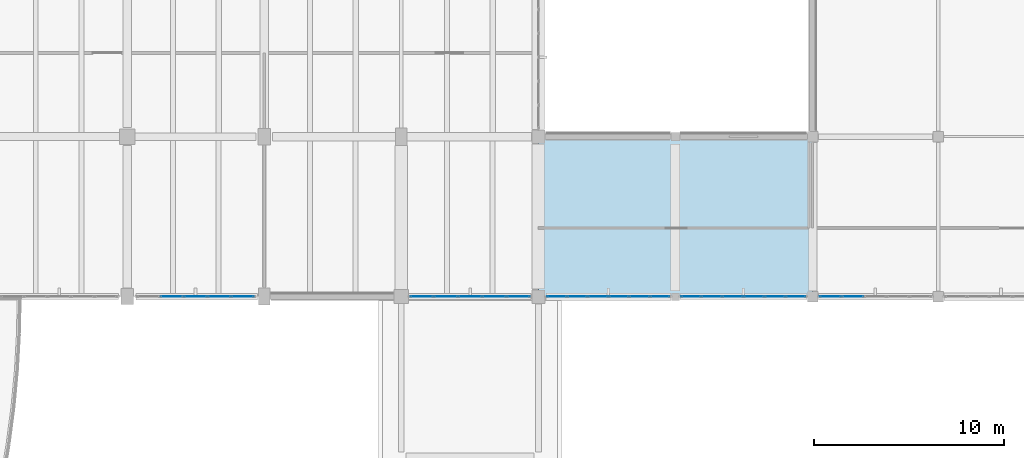
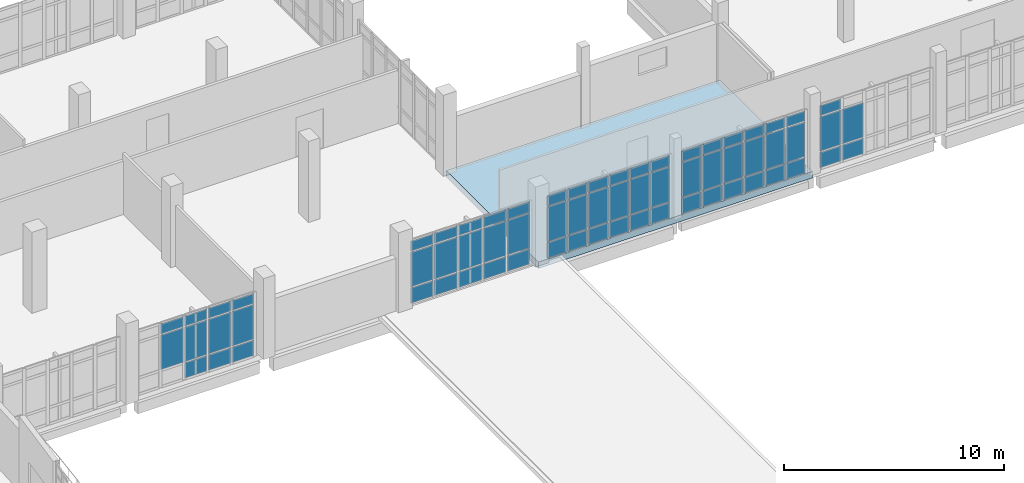
# One storey, part 105 of 134: 67 plates, 1 slab, 5 elements without a shape of their own.
"""IFC4 building model written with IfcOpenShell, lengths in metres."""

from ifc_helpers import new_model, si_unit, direction, frame, origin, origin_2d, place, context, subcontext, project, spatial, polyline, rectangle, outline, extrude, material, layer, layer_set, type_object, element, aggregate, save


model = new_model("IFC4")

# Units and contexts
model_context = context("Model", 3, precision=1e-05, world=origin(), true_north=direction((0.0, 1.0)))
body_context = subcontext(model_context, "Body", "Model", "MODEL_VIEW")
ifc_project = project(units=[si_unit("LENGTHUNIT", "METRE"), si_unit("AREAUNIT", "SQUARE_METRE"), si_unit("VOLUMEUNIT", "CUBIC_METRE"), si_unit("PLANEANGLEUNIT", "RADIAN"), si_unit("MASSUNIT", "GRAM", prefix="KILO")], contexts=[model_context])

# Site, building, storey
site_placement = place(None, origin())
site = spatial("IfcSite", under=ifc_project, at=site_placement, CompositionType="ELEMENT")
building_placement = place(site_placement, origin())
building = spatial("IfcBuilding", under=site, at=building_placement, Name="Kalluvel Institute of Natural Sciences", CompositionType="ELEMENT")
storey_placement = place(building_placement, frame((0.0, 0.0, 5.39990234375)))
storey = spatial("IfcBuildingStorey", under=building, at=storey_placement, Name="L01", CompositionType="ELEMENT", Elevation=5.39990234375)

# Curtain wall, plates
ifc_material_1 = material(Name="Aluminium AW-6063 T6", Category="aluminium")
curtain_wall_type_1 = type_object("IfcCurtainWallType", Name="CW-CLN-45", PredefinedType="USERDEFINED", material=ifc_material_1)
curtain_wall_1_placement = place(storey_placement, origin())
curtain_wall_1 = element("IfcCurtainWall", 1, at=curtain_wall_1_placement, inside=storey, type_object=curtain_wall_type_1, Name="L01 Gothic lancet curtain wall CWA-L01-X1152-Y1028", ObjectType="UNITISED LANCET FACADE", PredefinedType="USERDEFINED")
ifc_material_2 = material(Name="Solar-Control Low-E Laminated Glass", Category="glass")
ifc_layer_1 = layer(ifc_material_2, 0.028076171875)
ifc_layer_set_1 = layer_set([ifc_layer_1], Name="Solar-Control Low-E Laminated Glass")
plate_type_1 = type_object("IfcPlateType", Name="CWP-DGU-28", PredefinedType="CURTAIN_PANEL", material=ifc_layer_set_1)
plate_1_placement = place(storey_placement, frame((115.761962890625, 102.800048828125, 0.065185546875), z_axis=(0.0, 0.0, 1.0), x_axis=(1.0, 0.0, 0.0)))
plate_1 = element("IfcPlate", 2, at=plate_1_placement, type_object=plate_type_1, Name="CW-08 panel 1.1", PredefinedType="CURTAIN_PANEL", context=body_context, shape_type="SweptSolid", body=[
    extrude(rectangle(XDim=0.994140625, YDim=0.028076171875, at=origin_2d()), origin(), (0.0, 0.0, 1.0), 0.8525390625),
])
plate_2_placement = place(storey_placement, frame((115.761962890625, 102.800048828125, 0.982666015625), z_axis=(0.0, 0.0, 1.0), x_axis=(1.0, 0.0, 0.0)))
plate_2 = element("IfcPlate", 3, at=plate_2_placement, type_object=plate_type_1, Name="CW-08 panel 1.2", PredefinedType="CURTAIN_PANEL", context=body_context, shape_type="SweptSolid", body=[
    extrude(rectangle(XDim=0.994140625, YDim=0.028076171875, at=origin_2d()), origin(), (0.0, 0.0, 1.0), 1.9150390625),
])
plate_3_placement = place(storey_placement, frame((115.761962890625, 102.800048828125, 2.96240234375), z_axis=(0.0, 0.0, 1.0), x_axis=(1.0, 0.0, 0.0)))
plate_3 = element("IfcPlate", 4, at=plate_3_placement, type_object=plate_type_1, Name="CW-08 panel 1.3", PredefinedType="CURTAIN_PANEL", context=body_context, shape_type="SweptSolid", body=[
    extrude(rectangle(XDim=0.994140625, YDim=0.028076171875, at=origin_2d()), origin(), (0.0, 0.0, 1.0), 0.552490234375),
])
plate_4_placement = place(storey_placement, frame((116.83740234375, 102.800048828125, 0.065185546875), z_axis=(0.0, 0.0, 1.0), x_axis=(1.0, 0.0, 0.0)))
plate_4 = element("IfcPlate", 5, at=plate_4_placement, type_object=plate_type_1, Name="CW-08 panel 2.1", PredefinedType="CURTAIN_PANEL", context=body_context, shape_type="SweptSolid", body=[
    extrude(rectangle(XDim=1.026611328125, YDim=0.028076171875, at=origin_2d()), origin(), (0.0, 0.0, 1.0), 0.8525390625),
])
plate_5_placement = place(storey_placement, frame((116.83740234375, 102.800048828125, 0.982666015625), z_axis=(0.0, 0.0, 1.0), x_axis=(1.0, 0.0, 0.0)))
plate_5 = element("IfcPlate", 6, at=plate_5_placement, type_object=plate_type_1, Name="CW-08 panel 2.2", PredefinedType="CURTAIN_PANEL", context=body_context, shape_type="SweptSolid", body=[
    extrude(rectangle(XDim=1.026611328125, YDim=0.028076171875, at=origin_2d()), origin(), (0.0, 0.0, 1.0), 1.9150390625),
])
plate_6_placement = place(storey_placement, frame((116.83740234375, 102.800048828125, 2.96240234375), z_axis=(0.0, 0.0, 1.0), x_axis=(1.0, 0.0, 0.0)))
plate_6 = element("IfcPlate", 7, at=plate_6_placement, type_object=plate_type_1, Name="CW-08 panel 2.3", PredefinedType="CURTAIN_PANEL", context=body_context, shape_type="SweptSolid", body=[
    extrude(rectangle(XDim=1.026611328125, YDim=0.028076171875, at=origin_2d()), origin(), (0.0, 0.0, 1.0), 0.552490234375),
])
plate_7_placement = place(storey_placement, frame((117.92919921875, 102.800048828125, 0.065185546875), z_axis=(0.0, 0.0, 1.0), x_axis=(1.0, 0.0, 0.0)))
plate_7 = element("IfcPlate", 8, at=plate_7_placement, type_object=plate_type_1, Name="CW-08 panel 3.1", PredefinedType="CURTAIN_PANEL", context=body_context, shape_type="SweptSolid", body=[
    extrude(rectangle(XDim=1.026611328125, YDim=0.028076171875, at=origin_2d()), origin(), (0.0, 0.0, 1.0), 0.8525390625),
])
plate_8_placement = place(storey_placement, frame((117.92919921875, 102.800048828125, 0.982666015625), z_axis=(0.0, 0.0, 1.0), x_axis=(1.0, 0.0, 0.0)))
plate_8 = element("IfcPlate", 9, at=plate_8_placement, type_object=plate_type_1, Name="CW-08 panel 3.2", PredefinedType="CURTAIN_PANEL", context=body_context, shape_type="SweptSolid", body=[
    extrude(rectangle(XDim=1.026611328125, YDim=0.028076171875, at=origin_2d()), origin(), (0.0, 0.0, 1.0), 1.9150390625),
])
plate_9_placement = place(storey_placement, frame((117.92919921875, 102.800048828125, 2.96240234375), z_axis=(0.0, 0.0, 1.0), x_axis=(1.0, 0.0, 0.0)))
plate_9 = element("IfcPlate", 10, at=plate_9_placement, type_object=plate_type_1, Name="CW-08 panel 3.3", PredefinedType="CURTAIN_PANEL", context=body_context, shape_type="SweptSolid", body=[
    extrude(rectangle(XDim=1.026611328125, YDim=0.028076171875, at=origin_2d()), origin(), (0.0, 0.0, 1.0), 0.552490234375),
])
plate_10_placement = place(storey_placement, frame((119.020751953125, 102.800048828125, 0.065185546875), z_axis=(0.0, 0.0, 1.0), x_axis=(1.0, 0.0, 0.0)))
plate_10 = element("IfcPlate", 11, at=plate_10_placement, type_object=plate_type_1, Name="CW-08 panel 4.1", PredefinedType="CURTAIN_PANEL", context=body_context, shape_type="SweptSolid", body=[
    extrude(rectangle(XDim=1.026611328125, YDim=0.028076171875, at=origin_2d()), origin(), (0.0, 0.0, 1.0), 0.8525390625),
])
plate_11_placement = place(storey_placement, frame((119.020751953125, 102.800048828125, 0.982666015625), z_axis=(0.0, 0.0, 1.0), x_axis=(1.0, 0.0, 0.0)))
plate_11 = element("IfcPlate", 12, at=plate_11_placement, type_object=plate_type_1, Name="CW-08 panel 4.2", PredefinedType="CURTAIN_PANEL", context=body_context, shape_type="SweptSolid", body=[
    extrude(rectangle(XDim=1.026611328125, YDim=0.028076171875, at=origin_2d()), origin(), (0.0, 0.0, 1.0), 1.9150390625),
])
plate_12_placement = place(storey_placement, frame((119.020751953125, 102.800048828125, 2.96240234375), z_axis=(0.0, 0.0, 1.0), x_axis=(1.0, 0.0, 0.0)))
plate_12 = element("IfcPlate", 13, at=plate_12_placement, type_object=plate_type_1, Name="CW-08 panel 4.3", PredefinedType="CURTAIN_PANEL", context=body_context, shape_type="SweptSolid", body=[
    extrude(rectangle(XDim=1.026611328125, YDim=0.028076171875, at=origin_2d()), origin(), (0.0, 0.0, 1.0), 0.552490234375),
])
plate_13_placement = place(storey_placement, frame((120.112548828125, 102.800048828125, 0.065185546875), z_axis=(0.0, 0.0, 1.0), x_axis=(1.0, 0.0, 0.0)))
plate_13 = element("IfcPlate", 14, at=plate_13_placement, type_object=plate_type_1, Name="CW-08 panel 5.1", PredefinedType="CURTAIN_PANEL", context=body_context, shape_type="SweptSolid", body=[
    extrude(rectangle(XDim=1.026611328125, YDim=0.028076171875, at=origin_2d()), origin(), (0.0, 0.0, 1.0), 0.8525390625),
])
plate_14_placement = place(storey_placement, frame((120.112548828125, 102.800048828125, 0.982666015625), z_axis=(0.0, 0.0, 1.0), x_axis=(1.0, 0.0, 0.0)))
plate_14 = element("IfcPlate", 15, at=plate_14_placement, type_object=plate_type_1, Name="CW-08 panel 5.2", PredefinedType="CURTAIN_PANEL", context=body_context, shape_type="SweptSolid", body=[
    extrude(rectangle(XDim=1.026611328125, YDim=0.028076171875, at=origin_2d()), origin(), (0.0, 0.0, 1.0), 1.9150390625),
])
plate_15_placement = place(storey_placement, frame((120.112548828125, 102.800048828125, 2.96240234375), z_axis=(0.0, 0.0, 1.0), x_axis=(1.0, 0.0, 0.0)))
plate_15 = element("IfcPlate", 16, at=plate_15_placement, type_object=plate_type_1, Name="CW-08 panel 5.3", PredefinedType="CURTAIN_PANEL", context=body_context, shape_type="SweptSolid", body=[
    extrude(rectangle(XDim=1.026611328125, YDim=0.028076171875, at=origin_2d()), origin(), (0.0, 0.0, 1.0), 0.552490234375),
])
plate_16_placement = place(storey_placement, frame((121.18798828125, 102.800048828125, 0.065185546875), z_axis=(0.0, 0.0, 1.0), x_axis=(1.0, 0.0, 0.0)))
plate_16 = element("IfcPlate", 17, at=plate_16_placement, type_object=plate_type_1, Name="CW-08 panel 6.1", PredefinedType="CURTAIN_PANEL", context=body_context, shape_type="SweptSolid", body=[
    extrude(rectangle(XDim=0.994140625, YDim=0.028076171875, at=origin_2d()), origin(), (0.0, 0.0, 1.0), 0.8525390625),
])
plate_17_placement = place(storey_placement, frame((121.18798828125, 102.800048828125, 0.982666015625), z_axis=(0.0, 0.0, 1.0), x_axis=(1.0, 0.0, 0.0)))
plate_17 = element("IfcPlate", 18, at=plate_17_placement, type_object=plate_type_1, Name="CW-08 panel 6.2", PredefinedType="CURTAIN_PANEL", context=body_context, shape_type="SweptSolid", body=[
    extrude(rectangle(XDim=0.994140625, YDim=0.028076171875, at=origin_2d()), origin(), (0.0, 0.0, 1.0), 1.9150390625),
])
plate_18_placement = place(storey_placement, frame((121.18798828125, 102.800048828125, 2.96240234375), z_axis=(0.0, 0.0, 1.0), x_axis=(1.0, 0.0, 0.0)))
plate_18 = element("IfcPlate", 19, at=plate_18_placement, type_object=plate_type_1, Name="CW-08 panel 6.3", PredefinedType="CURTAIN_PANEL", context=body_context, shape_type="SweptSolid", body=[
    extrude(rectangle(XDim=0.994140625, YDim=0.028076171875, at=origin_2d()), origin(), (0.0, 0.0, 1.0), 0.552490234375),
])
aggregate(curtain_wall_1, [plate_1, plate_2, plate_3, plate_4, plate_5, plate_6, plate_7, plate_8, plate_9, plate_10, plate_11, plate_12, plate_13, plate_14, plate_15, plate_16, plate_17, plate_18])

curtain_wall_2_placement = place(storey_placement, origin())
curtain_wall_2 = element("IfcCurtainWall", 20, at=curtain_wall_2_placement, inside=storey, type_object=curtain_wall_type_1, Name="L01 Gothic lancet curtain wall CWA-L01-X1222-Y1028", ObjectType="UNITISED LANCET FACADE", PredefinedType="USERDEFINED")
plate_19_placement = place(storey_placement, frame((122.818359375, 102.800048828125, 0.065185546875), z_axis=(0.0, 0.0, 1.0), x_axis=(1.0, 0.0, 0.0)))
plate_19 = element("IfcPlate", 21, at=plate_19_placement, type_object=plate_type_1, Name="CW-08 panel 1.1", PredefinedType="CURTAIN_PANEL", context=body_context, shape_type="SweptSolid", body=[
    extrude(rectangle(XDim=1.006591796875, YDim=0.028076171875, at=origin_2d()), origin(), (0.0, 0.0, 1.0), 0.8525390625),
])
plate_20_placement = place(storey_placement, frame((122.818359375, 102.800048828125, 0.982666015625), z_axis=(0.0, 0.0, 1.0), x_axis=(1.0, 0.0, 0.0)))
plate_20 = element("IfcPlate", 22, at=plate_20_placement, type_object=plate_type_1, Name="CW-08 panel 1.2", PredefinedType="CURTAIN_PANEL", context=body_context, shape_type="SweptSolid", body=[
    extrude(rectangle(XDim=1.006591796875, YDim=0.028076171875, at=origin_2d()), origin(), (0.0, 0.0, 1.0), 1.9150390625),
])
plate_21_placement = place(storey_placement, frame((122.818359375, 102.800048828125, 2.96240234375), z_axis=(0.0, 0.0, 1.0), x_axis=(1.0, 0.0, 0.0)))
plate_21 = element("IfcPlate", 23, at=plate_21_placement, type_object=plate_type_1, Name="CW-08 panel 1.3", PredefinedType="CURTAIN_PANEL", context=body_context, shape_type="SweptSolid", body=[
    extrude(rectangle(XDim=1.006591796875, YDim=0.028076171875, at=origin_2d()), origin(), (0.0, 0.0, 1.0), 0.552490234375),
])
plate_22_placement = place(storey_placement, frame((123.90625, 102.800048828125, 0.065185546875), z_axis=(0.0, 0.0, 1.0), x_axis=(1.0, 0.0, 0.0)))
plate_22 = element("IfcPlate", 24, at=plate_22_placement, type_object=plate_type_1, Name="CW-08 panel 2.1", PredefinedType="CURTAIN_PANEL", context=body_context, shape_type="SweptSolid", body=[
    extrude(rectangle(XDim=1.0390625, YDim=0.028076171875, at=origin_2d()), origin(), (0.0, 0.0, 1.0), 0.8525390625),
])
plate_23_placement = place(storey_placement, frame((123.90625, 102.800048828125, 0.982666015625), z_axis=(0.0, 0.0, 1.0), x_axis=(1.0, 0.0, 0.0)))
plate_23 = element("IfcPlate", 25, at=plate_23_placement, type_object=plate_type_1, Name="CW-08 panel 2.2", PredefinedType="CURTAIN_PANEL", context=body_context, shape_type="SweptSolid", body=[
    extrude(rectangle(XDim=1.0390625, YDim=0.028076171875, at=origin_2d()), origin(), (0.0, 0.0, 1.0), 1.9150390625),
])
plate_24_placement = place(storey_placement, frame((123.90625, 102.800048828125, 2.96240234375), z_axis=(0.0, 0.0, 1.0), x_axis=(1.0, 0.0, 0.0)))
plate_24 = element("IfcPlate", 26, at=plate_24_placement, type_object=plate_type_1, Name="CW-08 panel 2.3", PredefinedType="CURTAIN_PANEL", context=body_context, shape_type="SweptSolid", body=[
    extrude(rectangle(XDim=1.0390625, YDim=0.028076171875, at=origin_2d()), origin(), (0.0, 0.0, 1.0), 0.552490234375),
])
plate_25_placement = place(storey_placement, frame((125.010498046875, 102.800048828125, 0.065185546875), z_axis=(0.0, 0.0, 1.0), x_axis=(1.0, 0.0, 0.0)))
plate_25 = element("IfcPlate", 27, at=plate_25_placement, type_object=plate_type_1, Name="CW-08 panel 3.1", PredefinedType="CURTAIN_PANEL", context=body_context, shape_type="SweptSolid", body=[
    extrude(rectangle(XDim=1.0390625, YDim=0.028076171875, at=origin_2d()), origin(), (0.0, 0.0, 1.0), 0.8525390625),
])
plate_26_placement = place(storey_placement, frame((125.010498046875, 102.800048828125, 0.982666015625), z_axis=(0.0, 0.0, 1.0), x_axis=(1.0, 0.0, 0.0)))
plate_26 = element("IfcPlate", 28, at=plate_26_placement, type_object=plate_type_1, Name="CW-08 panel 3.2", PredefinedType="CURTAIN_PANEL", context=body_context, shape_type="SweptSolid", body=[
    extrude(rectangle(XDim=1.0390625, YDim=0.028076171875, at=origin_2d()), origin(), (0.0, 0.0, 1.0), 1.9150390625),
])
plate_27_placement = place(storey_placement, frame((125.010498046875, 102.800048828125, 2.96240234375), z_axis=(0.0, 0.0, 1.0), x_axis=(1.0, 0.0, 0.0)))
plate_27 = element("IfcPlate", 29, at=plate_27_placement, type_object=plate_type_1, Name="CW-08 panel 3.3", PredefinedType="CURTAIN_PANEL", context=body_context, shape_type="SweptSolid", body=[
    extrude(rectangle(XDim=1.0390625, YDim=0.028076171875, at=origin_2d()), origin(), (0.0, 0.0, 1.0), 0.552490234375),
])
plate_28_placement = place(storey_placement, frame((126.114501953125, 102.800048828125, 0.065185546875), z_axis=(0.0, 0.0, 1.0), x_axis=(1.0, 0.0, 0.0)))
plate_28 = element("IfcPlate", 30, at=plate_28_placement, type_object=plate_type_1, Name="CW-08 panel 4.1", PredefinedType="CURTAIN_PANEL", context=body_context, shape_type="SweptSolid", body=[
    extrude(rectangle(XDim=1.0390625, YDim=0.028076171875, at=origin_2d()), origin(), (0.0, 0.0, 1.0), 0.8525390625),
])
plate_29_placement = place(storey_placement, frame((126.114501953125, 102.800048828125, 0.982666015625), z_axis=(0.0, 0.0, 1.0), x_axis=(1.0, 0.0, 0.0)))
plate_29 = element("IfcPlate", 31, at=plate_29_placement, type_object=plate_type_1, Name="CW-08 panel 4.2", PredefinedType="CURTAIN_PANEL", context=body_context, shape_type="SweptSolid", body=[
    extrude(rectangle(XDim=1.0390625, YDim=0.028076171875, at=origin_2d()), origin(), (0.0, 0.0, 1.0), 1.9150390625),
])
plate_30_placement = place(storey_placement, frame((126.114501953125, 102.800048828125, 2.96240234375), z_axis=(0.0, 0.0, 1.0), x_axis=(1.0, 0.0, 0.0)))
plate_30 = element("IfcPlate", 32, at=plate_30_placement, type_object=plate_type_1, Name="CW-08 panel 4.3", PredefinedType="CURTAIN_PANEL", context=body_context, shape_type="SweptSolid", body=[
    extrude(rectangle(XDim=1.0390625, YDim=0.028076171875, at=origin_2d()), origin(), (0.0, 0.0, 1.0), 0.552490234375),
])
plate_31_placement = place(storey_placement, frame((127.21875, 102.800048828125, 0.065185546875), z_axis=(0.0, 0.0, 1.0), x_axis=(1.0, 0.0, 0.0)))
plate_31 = element("IfcPlate", 33, at=plate_31_placement, type_object=plate_type_1, Name="CW-08 panel 5.1", PredefinedType="CURTAIN_PANEL", context=body_context, shape_type="SweptSolid", body=[
    extrude(rectangle(XDim=1.0390625, YDim=0.028076171875, at=origin_2d()), origin(), (0.0, 0.0, 1.0), 0.8525390625),
])
plate_32_placement = place(storey_placement, frame((127.21875, 102.800048828125, 0.982666015625), z_axis=(0.0, 0.0, 1.0), x_axis=(1.0, 0.0, 0.0)))
plate_32 = element("IfcPlate", 34, at=plate_32_placement, type_object=plate_type_1, Name="CW-08 panel 5.2", PredefinedType="CURTAIN_PANEL", context=body_context, shape_type="SweptSolid", body=[
    extrude(rectangle(XDim=1.0390625, YDim=0.028076171875, at=origin_2d()), origin(), (0.0, 0.0, 1.0), 1.9150390625),
])
plate_33_placement = place(storey_placement, frame((127.21875, 102.800048828125, 2.96240234375), z_axis=(0.0, 0.0, 1.0), x_axis=(1.0, 0.0, 0.0)))
plate_33 = element("IfcPlate", 35, at=plate_33_placement, type_object=plate_type_1, Name="CW-08 panel 5.3", PredefinedType="CURTAIN_PANEL", context=body_context, shape_type="SweptSolid", body=[
    extrude(rectangle(XDim=1.0390625, YDim=0.028076171875, at=origin_2d()), origin(), (0.0, 0.0, 1.0), 0.552490234375),
])
plate_34_placement = place(storey_placement, frame((128.306640625, 102.800048828125, 0.065185546875), z_axis=(0.0, 0.0, 1.0), x_axis=(1.0, 0.0, 0.0)))
plate_34 = element("IfcPlate", 36, at=plate_34_placement, type_object=plate_type_1, Name="CW-08 panel 6.1", PredefinedType="CURTAIN_PANEL", context=body_context, shape_type="SweptSolid", body=[
    extrude(rectangle(XDim=1.006591796875, YDim=0.028076171875, at=origin_2d()), origin(), (0.0, 0.0, 1.0), 0.8525390625),
])
plate_35_placement = place(storey_placement, frame((128.306640625, 102.800048828125, 0.982666015625), z_axis=(0.0, 0.0, 1.0), x_axis=(1.0, 0.0, 0.0)))
plate_35 = element("IfcPlate", 37, at=plate_35_placement, type_object=plate_type_1, Name="CW-08 panel 6.2", PredefinedType="CURTAIN_PANEL", context=body_context, shape_type="SweptSolid", body=[
    extrude(rectangle(XDim=1.006591796875, YDim=0.028076171875, at=origin_2d()), origin(), (0.0, 0.0, 1.0), 1.9150390625),
])
plate_36_placement = place(storey_placement, frame((128.306640625, 102.800048828125, 2.96240234375), z_axis=(0.0, 0.0, 1.0), x_axis=(1.0, 0.0, 0.0)))
plate_36 = element("IfcPlate", 38, at=plate_36_placement, type_object=plate_type_1, Name="CW-08 panel 6.3", PredefinedType="CURTAIN_PANEL", context=body_context, shape_type="SweptSolid", body=[
    extrude(rectangle(XDim=1.006591796875, YDim=0.028076171875, at=origin_2d()), origin(), (0.0, 0.0, 1.0), 0.552490234375),
])
aggregate(curtain_wall_2, [plate_19, plate_20, plate_21, plate_22, plate_23, plate_24, plate_25, plate_26, plate_27, plate_28, plate_29, plate_30, plate_31, plate_32, plate_33, plate_34, plate_35, plate_36])

curtain_wall_3_placement = place(storey_placement, origin())
curtain_wall_3 = element("IfcCurtainWall", 39, at=curtain_wall_3_placement, inside=storey, type_object=curtain_wall_type_1, Name="L01 Gothic lancet curtain wall CWA-L01-X1295-Y1028", ObjectType="UNITISED LANCET FACADE", PredefinedType="USERDEFINED")
plate_37_placement = place(storey_placement, frame((130.13623046875, 102.800048828125, 0.065185546875), z_axis=(0.0, 0.0, 1.0), x_axis=(1.0, 0.0, 0.0)))
plate_37 = element("IfcPlate", 40, at=plate_37_placement, type_object=plate_type_1, Name="CW-08 panel 1.1", PredefinedType="CURTAIN_PANEL", context=body_context, shape_type="SweptSolid", body=[
    extrude(rectangle(XDim=1.092529296875, YDim=0.028076171875, at=origin_2d()), origin(), (0.0, 0.0, 1.0), 0.8525390625),
])
plate_38_placement = place(storey_placement, frame((130.13623046875, 102.800048828125, 0.982666015625), z_axis=(0.0, 0.0, 1.0), x_axis=(1.0, 0.0, 0.0)))
plate_38 = element("IfcPlate", 41, at=plate_38_placement, type_object=plate_type_1, Name="CW-08 panel 1.2", PredefinedType="CURTAIN_PANEL", context=body_context, shape_type="SweptSolid", body=[
    extrude(rectangle(XDim=1.092529296875, YDim=0.028076171875, at=origin_2d()), origin(), (0.0, 0.0, 1.0), 1.9150390625),
])
plate_39_placement = place(storey_placement, frame((130.13623046875, 102.800048828125, 2.96240234375), z_axis=(0.0, 0.0, 1.0), x_axis=(1.0, 0.0, 0.0)))
plate_39 = element("IfcPlate", 42, at=plate_39_placement, type_object=plate_type_1, Name="CW-08 panel 1.3", PredefinedType="CURTAIN_PANEL", context=body_context, shape_type="SweptSolid", body=[
    extrude(rectangle(XDim=1.092529296875, YDim=0.028076171875, at=origin_2d()), origin(), (0.0, 0.0, 1.0), 0.552490234375),
])
plate_40_placement = place(storey_placement, frame((131.31005859375, 102.800048828125, 0.065185546875), z_axis=(0.0, 0.0, 1.0), x_axis=(1.0, 0.0, 0.0)))
plate_40 = element("IfcPlate", 43, at=plate_40_placement, type_object=plate_type_1, Name="CW-08 panel 2.1", PredefinedType="CURTAIN_PANEL", context=body_context, shape_type="SweptSolid", body=[
    extrude(rectangle(XDim=1.125, YDim=0.028076171875, at=origin_2d()), origin(), (0.0, 0.0, 1.0), 0.8525390625),
])
plate_41_placement = place(storey_placement, frame((131.31005859375, 102.800048828125, 0.982666015625), z_axis=(0.0, 0.0, 1.0), x_axis=(1.0, 0.0, 0.0)))
plate_41 = element("IfcPlate", 44, at=plate_41_placement, type_object=plate_type_1, Name="CW-08 panel 2.2", PredefinedType="CURTAIN_PANEL", context=body_context, shape_type="SweptSolid", body=[
    extrude(rectangle(XDim=1.125, YDim=0.028076171875, at=origin_2d()), origin(), (0.0, 0.0, 1.0), 1.9150390625),
])
aggregate(curtain_wall_3, [plate_37, plate_38, plate_39, plate_40, plate_41])

curtain_wall_type_2 = type_object("IfcCurtainWallType", Name="CW-WET-45", PredefinedType="USERDEFINED", material=ifc_material_1)
curtain_wall_4_placement = place(storey_placement, origin())
curtain_wall_4 = element("IfcCurtainWall", 45, at=curtain_wall_4_placement, inside=storey, type_object=curtain_wall_type_2, Name="L01 Gothic lancet curtain wall CWA-L01-X937-Y1028", ObjectType="UNITISED LANCET FACADE", PredefinedType="USERDEFINED")
ifc_layer_2 = layer(ifc_material_2, 0.031982421875)
ifc_layer_set_2 = layer_set([ifc_layer_2], Name="Solar-Control Low-E Laminated Glass")
plate_type_2 = type_object("IfcPlateType", Name="CWP-DGU-32", PredefinedType="CURTAIN_PANEL", material=ifc_layer_set_2)
plate_42_placement = place(storey_placement, frame((95.54248046875, 102.800048828125, 0.982666015625), z_axis=(0.0, 0.0, 1.0), x_axis=(1.0, 0.0, 0.0)))
plate_42 = element("IfcPlate", 46, at=plate_42_placement, type_object=plate_type_2, Name="CW-01 panel 2.2", PredefinedType="CURTAIN_PANEL", context=body_context, shape_type="SweptSolid", body=[
    extrude(rectangle(XDim=1.179931640625, YDim=0.031982421875, at=origin_2d()), origin(), (0.0, 0.0, 1.0), 1.9150390625),
])
plate_43_placement = place(storey_placement, frame((95.54248046875, 102.800048828125, 2.96240234375), z_axis=(0.0, 0.0, 1.0), x_axis=(1.0, 0.0, 0.0)))
plate_43 = element("IfcPlate", 47, at=plate_43_placement, type_object=plate_type_2, Name="CW-01 panel 2.3", PredefinedType="CURTAIN_PANEL", context=body_context, shape_type="SweptSolid", body=[
    extrude(rectangle(XDim=1.179931640625, YDim=0.031982421875, at=origin_2d()), origin(), (0.0, 0.0, 1.0), 0.552490234375),
])
plate_44_placement = place(storey_placement, frame((96.78759765625, 102.800048828125, 0.065185546875), z_axis=(0.0, 0.0, 1.0), x_axis=(1.0, 0.0, 0.0)))
plate_44 = element("IfcPlate", 48, at=plate_44_placement, type_object=plate_type_2, Name="CW-01 panel 3.1", PredefinedType="CURTAIN_PANEL", context=body_context, shape_type="SweptSolid", body=[
    extrude(rectangle(XDim=1.179931640625, YDim=0.031982421875, at=origin_2d()), origin(), (0.0, 0.0, 1.0), 0.8525390625),
])
plate_45_placement = place(storey_placement, frame((96.78759765625, 102.800048828125, 0.982666015625), z_axis=(0.0, 0.0, 1.0), x_axis=(1.0, 0.0, 0.0)))
plate_45 = element("IfcPlate", 49, at=plate_45_placement, type_object=plate_type_2, Name="CW-01 panel 3.2", PredefinedType="CURTAIN_PANEL", context=body_context, shape_type="SweptSolid", body=[
    extrude(rectangle(XDim=1.179931640625, YDim=0.031982421875, at=origin_2d()), origin(), (0.0, 0.0, 1.0), 1.9150390625),
])
plate_46_placement = place(storey_placement, frame((96.78759765625, 102.800048828125, 2.96240234375), z_axis=(0.0, 0.0, 1.0), x_axis=(1.0, 0.0, 0.0)))
plate_46 = element("IfcPlate", 50, at=plate_46_placement, type_object=plate_type_2, Name="CW-01 panel 3.3", PredefinedType="CURTAIN_PANEL", context=body_context, shape_type="SweptSolid", body=[
    extrude(rectangle(XDim=1.179931640625, YDim=0.031982421875, at=origin_2d()), origin(), (0.0, 0.0, 1.0), 0.552490234375),
])
plate_47_placement = place(storey_placement, frame((98.032470703125, 102.800048828125, 0.065185546875), z_axis=(0.0, 0.0, 1.0), x_axis=(1.0, 0.0, 0.0)))
plate_47 = element("IfcPlate", 51, at=plate_47_placement, type_object=plate_type_2, Name="CW-01 panel 4.1", PredefinedType="CURTAIN_PANEL", context=body_context, shape_type="SweptSolid", body=[
    extrude(rectangle(XDim=1.179931640625, YDim=0.031982421875, at=origin_2d()), origin(), (0.0, 0.0, 1.0), 0.8525390625),
])
plate_48_placement = place(storey_placement, frame((98.032470703125, 102.800048828125, 0.982666015625), z_axis=(0.0, 0.0, 1.0), x_axis=(1.0, 0.0, 0.0)))
plate_48 = element("IfcPlate", 52, at=plate_48_placement, type_object=plate_type_2, Name="CW-01 panel 4.2", PredefinedType="CURTAIN_PANEL", context=body_context, shape_type="SweptSolid", body=[
    extrude(rectangle(XDim=1.179931640625, YDim=0.031982421875, at=origin_2d()), origin(), (0.0, 0.0, 1.0), 1.9150390625),
])
plate_49_placement = place(storey_placement, frame((98.032470703125, 102.800048828125, 2.96240234375), z_axis=(0.0, 0.0, 1.0), x_axis=(1.0, 0.0, 0.0)))
plate_49 = element("IfcPlate", 53, at=plate_49_placement, type_object=plate_type_2, Name="CW-01 panel 4.3", PredefinedType="CURTAIN_PANEL", context=body_context, shape_type="SweptSolid", body=[
    extrude(rectangle(XDim=1.179931640625, YDim=0.031982421875, at=origin_2d()), origin(), (0.0, 0.0, 1.0), 0.552490234375),
])
plate_50_placement = place(storey_placement, frame((99.26123046875, 102.800048828125, 0.065185546875), z_axis=(0.0, 0.0, 1.0), x_axis=(1.0, 0.0, 0.0)))
plate_50 = element("IfcPlate", 54, at=plate_50_placement, type_object=plate_type_2, Name="CW-01 panel 5.1", PredefinedType="CURTAIN_PANEL", context=body_context, shape_type="SweptSolid", body=[
    extrude(rectangle(XDim=1.1474609375, YDim=0.031982421875, at=origin_2d()), origin(), (0.0, 0.0, 1.0), 0.8525390625),
])
plate_51_placement = place(storey_placement, frame((99.26123046875, 102.800048828125, 0.982666015625), z_axis=(0.0, 0.0, 1.0), x_axis=(1.0, 0.0, 0.0)))
plate_51 = element("IfcPlate", 55, at=plate_51_placement, type_object=plate_type_2, Name="CW-01 panel 5.2", PredefinedType="CURTAIN_PANEL", context=body_context, shape_type="SweptSolid", body=[
    extrude(rectangle(XDim=1.1474609375, YDim=0.031982421875, at=origin_2d()), origin(), (0.0, 0.0, 1.0), 1.9150390625),
])
plate_52_placement = place(storey_placement, frame((99.26123046875, 102.800048828125, 2.96240234375), z_axis=(0.0, 0.0, 1.0), x_axis=(1.0, 0.0, 0.0)))
plate_52 = element("IfcPlate", 56, at=plate_52_placement, type_object=plate_type_2, Name="CW-01 panel 5.3", PredefinedType="CURTAIN_PANEL", context=body_context, shape_type="SweptSolid", body=[
    extrude(rectangle(XDim=1.1474609375, YDim=0.031982421875, at=origin_2d()), origin(), (0.0, 0.0, 1.0), 0.552490234375),
])
aggregate(curtain_wall_4, [plate_42, plate_43, plate_44, plate_45, plate_46, plate_47, plate_48, plate_49, plate_50, plate_51, plate_52])

curtain_wall_5_placement = place(storey_placement, origin())
curtain_wall_5 = element("IfcCurtainWall", 57, at=curtain_wall_5_placement, inside=storey, type_object=curtain_wall_type_2, Name="L01 Gothic lancet curtain wall CWA-L01-X1080-Y1028", ObjectType="UNITISED LANCET FACADE", PredefinedType="USERDEFINED")
plate_53_placement = place(storey_placement, frame((108.6787109375, 102.800048828125, 0.065185546875), z_axis=(0.0, 0.0, 1.0), x_axis=(1.0, 0.0, 0.0)))
plate_53 = element("IfcPlate", 58, at=plate_53_placement, type_object=plate_type_2, Name="CW-01 panel 1.1", PredefinedType="CURTAIN_PANEL", context=body_context, shape_type="SweptSolid", body=[
    extrude(rectangle(XDim=1.177490234375, YDim=0.031982421875, at=origin_2d()), origin(), (0.0, 0.0, 1.0), 0.8525390625),
])
plate_54_placement = place(storey_placement, frame((108.6787109375, 102.800048828125, 0.982666015625), z_axis=(0.0, 0.0, 1.0), x_axis=(1.0, 0.0, 0.0)))
plate_54 = element("IfcPlate", 59, at=plate_54_placement, type_object=plate_type_2, Name="CW-01 panel 1.2", PredefinedType="CURTAIN_PANEL", context=body_context, shape_type="SweptSolid", body=[
    extrude(rectangle(XDim=1.177490234375, YDim=0.031982421875, at=origin_2d()), origin(), (0.0, 0.0, 1.0), 1.9150390625),
])
plate_55_placement = place(storey_placement, frame((108.6787109375, 102.800048828125, 2.96240234375), z_axis=(0.0, 0.0, 1.0), x_axis=(1.0, 0.0, 0.0)))
plate_55 = element("IfcPlate", 60, at=plate_55_placement, type_object=plate_type_2, Name="CW-01 panel 1.3", PredefinedType="CURTAIN_PANEL", context=body_context, shape_type="SweptSolid", body=[
    extrude(rectangle(XDim=1.177490234375, YDim=0.031982421875, at=origin_2d()), origin(), (0.0, 0.0, 1.0), 0.552490234375),
])
plate_56_placement = place(storey_placement, frame((109.9375, 102.800048828125, 0.065185546875), z_axis=(0.0, 0.0, 1.0), x_axis=(1.0, 0.0, 0.0)))
plate_56 = element("IfcPlate", 61, at=plate_56_placement, type_object=plate_type_2, Name="CW-01 panel 2.1", PredefinedType="CURTAIN_PANEL", context=body_context, shape_type="SweptSolid", body=[
    extrude(rectangle(XDim=1.2099609375, YDim=0.031982421875, at=origin_2d()), origin(), (0.0, 0.0, 1.0), 0.8525390625),
])
plate_57_placement = place(storey_placement, frame((109.9375, 102.800048828125, 0.982666015625), z_axis=(0.0, 0.0, 1.0), x_axis=(1.0, 0.0, 0.0)))
plate_57 = element("IfcPlate", 62, at=plate_57_placement, type_object=plate_type_2, Name="CW-01 panel 2.2", PredefinedType="CURTAIN_PANEL", context=body_context, shape_type="SweptSolid", body=[
    extrude(rectangle(XDim=1.2099609375, YDim=0.031982421875, at=origin_2d()), origin(), (0.0, 0.0, 1.0), 1.9150390625),
])
plate_58_placement = place(storey_placement, frame((109.9375, 102.800048828125, 2.96240234375), z_axis=(0.0, 0.0, 1.0), x_axis=(1.0, 0.0, 0.0)))
plate_58 = element("IfcPlate", 63, at=plate_58_placement, type_object=plate_type_2, Name="CW-01 panel 2.3", PredefinedType="CURTAIN_PANEL", context=body_context, shape_type="SweptSolid", body=[
    extrude(rectangle(XDim=1.2099609375, YDim=0.031982421875, at=origin_2d()), origin(), (0.0, 0.0, 1.0), 0.552490234375),
])
plate_59_placement = place(storey_placement, frame((111.21240234375, 102.800048828125, 0.065185546875), z_axis=(0.0, 0.0, 1.0), x_axis=(1.0, 0.0, 0.0)))
plate_59 = element("IfcPlate", 64, at=plate_59_placement, type_object=plate_type_2, Name="CW-01 panel 3.1", PredefinedType="CURTAIN_PANEL", context=body_context, shape_type="SweptSolid", body=[
    extrude(rectangle(XDim=1.2099609375, YDim=0.031982421875, at=origin_2d()), origin(), (0.0, 0.0, 1.0), 0.8525390625),
])
plate_60_placement = place(storey_placement, frame((111.21240234375, 102.800048828125, 0.982666015625), z_axis=(0.0, 0.0, 1.0), x_axis=(1.0, 0.0, 0.0)))
plate_60 = element("IfcPlate", 65, at=plate_60_placement, type_object=plate_type_2, Name="CW-01 panel 3.2", PredefinedType="CURTAIN_PANEL", context=body_context, shape_type="SweptSolid", body=[
    extrude(rectangle(XDim=1.2099609375, YDim=0.031982421875, at=origin_2d()), origin(), (0.0, 0.0, 1.0), 1.9150390625),
])
plate_61_placement = place(storey_placement, frame((111.21240234375, 102.800048828125, 2.96240234375), z_axis=(0.0, 0.0, 1.0), x_axis=(1.0, 0.0, 0.0)))
plate_61 = element("IfcPlate", 66, at=plate_61_placement, type_object=plate_type_2, Name="CW-01 panel 3.3", PredefinedType="CURTAIN_PANEL", context=body_context, shape_type="SweptSolid", body=[
    extrude(rectangle(XDim=1.2099609375, YDim=0.031982421875, at=origin_2d()), origin(), (0.0, 0.0, 1.0), 0.552490234375),
])
plate_62_placement = place(storey_placement, frame((112.487548828125, 102.800048828125, 0.065185546875), z_axis=(0.0, 0.0, 1.0), x_axis=(1.0, 0.0, 0.0)))
plate_62 = element("IfcPlate", 67, at=plate_62_placement, type_object=plate_type_2, Name="CW-01 panel 4.1", PredefinedType="CURTAIN_PANEL", context=body_context, shape_type="SweptSolid", body=[
    extrude(rectangle(XDim=1.2099609375, YDim=0.031982421875, at=origin_2d()), origin(), (0.0, 0.0, 1.0), 0.8525390625),
])
plate_63_placement = place(storey_placement, frame((112.487548828125, 102.800048828125, 0.982666015625), z_axis=(0.0, 0.0, 1.0), x_axis=(1.0, 0.0, 0.0)))
plate_63 = element("IfcPlate", 68, at=plate_63_placement, type_object=plate_type_2, Name="CW-01 panel 4.2", PredefinedType="CURTAIN_PANEL", context=body_context, shape_type="SweptSolid", body=[
    extrude(rectangle(XDim=1.2099609375, YDim=0.031982421875, at=origin_2d()), origin(), (0.0, 0.0, 1.0), 1.9150390625),
])
plate_64_placement = place(storey_placement, frame((112.487548828125, 102.800048828125, 2.96240234375), z_axis=(0.0, 0.0, 1.0), x_axis=(1.0, 0.0, 0.0)))
plate_64 = element("IfcPlate", 69, at=plate_64_placement, type_object=plate_type_2, Name="CW-01 panel 4.3", PredefinedType="CURTAIN_PANEL", context=body_context, shape_type="SweptSolid", body=[
    extrude(rectangle(XDim=1.2099609375, YDim=0.031982421875, at=origin_2d()), origin(), (0.0, 0.0, 1.0), 0.552490234375),
])
plate_65_placement = place(storey_placement, frame((113.746337890625, 102.800048828125, 0.065185546875), z_axis=(0.0, 0.0, 1.0), x_axis=(1.0, 0.0, 0.0)))
plate_65 = element("IfcPlate", 70, at=plate_65_placement, type_object=plate_type_2, Name="CW-01 panel 5.1", PredefinedType="CURTAIN_PANEL", context=body_context, shape_type="SweptSolid", body=[
    extrude(rectangle(XDim=1.177490234375, YDim=0.031982421875, at=origin_2d()), origin(), (0.0, 0.0, 1.0), 0.8525390625),
])
plate_66_placement = place(storey_placement, frame((113.746337890625, 102.800048828125, 0.982666015625), z_axis=(0.0, 0.0, 1.0), x_axis=(1.0, 0.0, 0.0)))
plate_66 = element("IfcPlate", 71, at=plate_66_placement, type_object=plate_type_2, Name="CW-01 panel 5.2", PredefinedType="CURTAIN_PANEL", context=body_context, shape_type="SweptSolid", body=[
    extrude(rectangle(XDim=1.177490234375, YDim=0.031982421875, at=origin_2d()), origin(), (0.0, 0.0, 1.0), 1.9150390625),
])
plate_67_placement = place(storey_placement, frame((113.746337890625, 102.800048828125, 2.96240234375), z_axis=(0.0, 0.0, 1.0), x_axis=(1.0, 0.0, 0.0)))
plate_67 = element("IfcPlate", 72, at=plate_67_placement, type_object=plate_type_2, Name="CW-01 panel 5.3", PredefinedType="CURTAIN_PANEL", context=body_context, shape_type="SweptSolid", body=[
    extrude(rectangle(XDim=1.177490234375, YDim=0.031982421875, at=origin_2d()), origin(), (0.0, 0.0, 1.0), 0.552490234375),
])
aggregate(curtain_wall_5, [plate_53, plate_54, plate_55, plate_56, plate_57, plate_58, plate_59, plate_60, plate_61, plate_62, plate_63, plate_64, plate_65, plate_66, plate_67])

# Slab
ifc_material_3 = material(Name="Concrete M50", Category="concrete")
ifc_layer_3 = layer(ifc_material_3, 0.360107421875)
ifc_layer_set_3 = layer_set([ifc_layer_3], Name="Concrete M50")
slab_type = type_object("IfcSlabType", Name="SLB-CLN-360", PredefinedType="FLOOR", material=ifc_layer_set_3)
slab_placement = place(storey_placement, frame((0.0, 0.0, -0.35986328125)))
element("IfcSlab", 73, at=slab_placement, inside=storey, type_object=slab_type, Name="L01 Cleanroom Link Corridor Slab", PredefinedType="FLOOR", context=body_context, shape_type="SweptSolid", body=[
    extrude(outline(polyline([(114.800048828125, 102.800048828125), (129.199951171875, 102.800048828125), (129.199951171875, 111.199951171875), (114.800048828125, 111.199951171875), (114.800048828125, 102.800048828125)])), origin(), (0.0, 0.0, 1.0), 0.35986328125),
])

save(model, "model.ifc")
